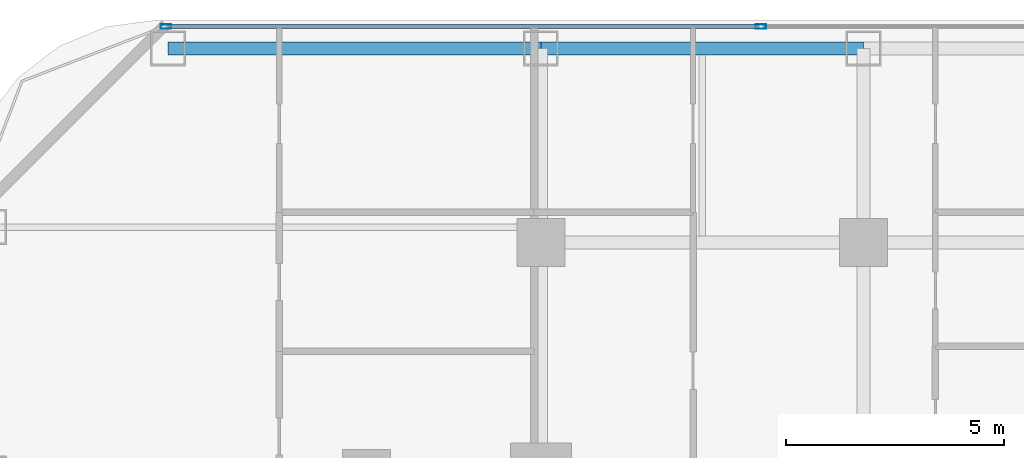
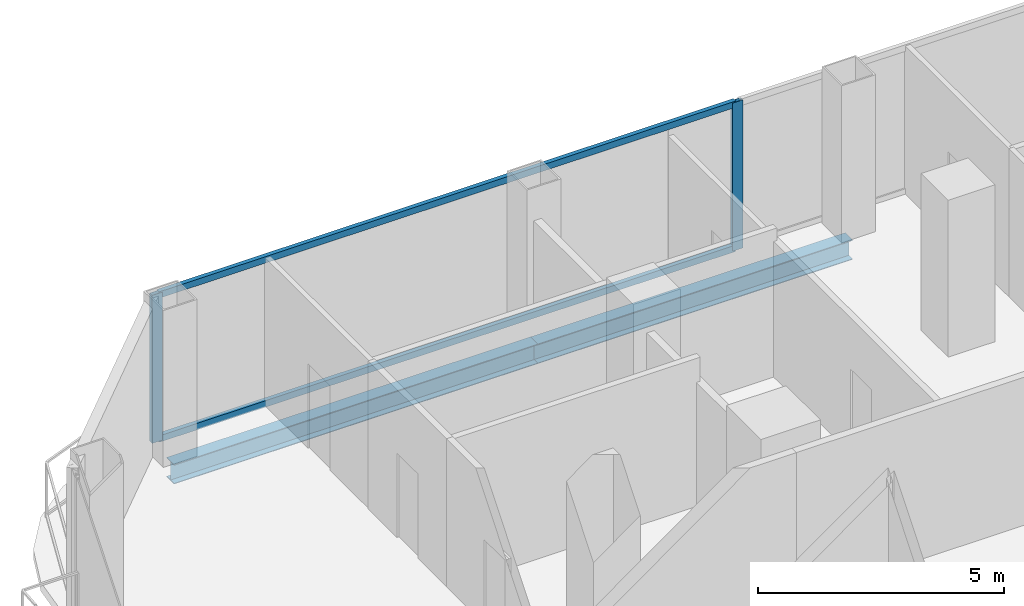
# One storey, part 15 of 29: 4 members, 2 beams, 1 element without a shape of its own.
"""IFC4 building model written with IfcOpenShell, lengths in metres."""

from ifc_helpers import new_model, si_unit, direction, frame, origin, origin_2d, place, context, subcontext, project, spatial, hollow_rectangle, i_section, extrude, material, layer, layer_set, material_profile, profile_set, type_object, element, aggregate, save


model = new_model("IFC4")

# Units and contexts
model_context = context("Model", 3, precision=1e-05, world=origin(), true_north=direction((0.0, 1.0)))
body_context = subcontext(model_context, "Body", "Model", "MODEL_VIEW")
ifc_project = project(units=[si_unit("LENGTHUNIT", "METRE"), si_unit("AREAUNIT", "SQUARE_METRE"), si_unit("VOLUMEUNIT", "CUBIC_METRE"), si_unit("PLANEANGLEUNIT", "RADIAN"), si_unit("MASSUNIT", "GRAM", prefix="KILO")], contexts=[model_context])

# Site, building, storey
site_placement = place(None, origin())
site = spatial("IfcSite", under=ifc_project, at=site_placement, CompositionType="ELEMENT")
building_placement = place(site_placement, origin())
building = spatial("IfcBuilding", under=site, at=building_placement, Name="Khorvyn Point Tower", CompositionType="ELEMENT")
storey_placement = place(building_placement, frame((0.0, 0.0, 69.60009765625)))
storey = spatial("IfcBuildingStorey", under=building, at=storey_placement, Name="L18", CompositionType="ELEMENT", Elevation=69.60009765625)

# Curtain wall, members
ifc_material_1 = material(Name="Anodised aluminium 6063-T6 and laminated Low-E glass", Category="aluminium")
ifc_layer = layer(ifc_material_1, 0.18994140625)
ifc_layer_set = layer_set([ifc_layer], Name="Stick-Built Finned Residential Curtain Wall CW-SYS-02")
curtain_wall_type = type_object("IfcCurtainWallType", Name="Stick-Built Finned Residential Curtain Wall CW-SYS-02", PredefinedType="NOTDEFINED", material=ifc_layer_set)
curtain_wall_placement = place(storey_placement, origin())
curtain_wall = element("IfcCurtainWall", 1, at=curtain_wall_placement, inside=storey, type_object=curtain_wall_type, Name="Curtain Wall", PredefinedType="NOTDEFINED")
ifc_material_2 = material(Name="Anodised aluminium 6063-T6", Category="aluminium")
ifc_material_profile_1 = material_profile(ifc_material_2, hollow_rectangle(XDim=0.10009765625, YDim=0.239990234375, WallThickness=0.0048828125, at=origin_2d()))
ifc_profile_set_1 = profile_set([ifc_material_profile_1], Name="Anodised aluminium 6063-T6 ALU-MUL-100x240")
member_type_1 = type_object("IfcMemberType", Name="Anodised Aluminium 6063-T6 Mullion ALU-MUL-100x240", PredefinedType="MULLION", material=ifc_profile_set_1)
member_1_placement = place(storey_placement, frame((-23.39990234375, 25.050048828125, 0.0), z_axis=(0.0, 0.0, 1.0), x_axis=(0.0, 1.0, 0.0)))
member_1 = element("IfcMember", 2, at=member_1_placement, type_object=member_type_1, Name="Transom", PredefinedType="MULLION", context=body_context, shape_type="SweptSolid", body=[
    extrude(hollow_rectangle(XDim=0.10009765625, YDim=0.239990234375, WallThickness=0.0048828125, at=origin_2d()), origin(), (0.0, 0.0, 1.0), 3.679931640625),
])
member_2_placement = place(storey_placement, frame((-9.75, 25.050048828125, 0.0), z_axis=(0.0, 0.0, 1.0), x_axis=(0.0, 1.0, 0.0)))
member_2 = element("IfcMember", 3, at=member_2_placement, type_object=member_type_1, Name="Transom", PredefinedType="MULLION", context=body_context, shape_type="SweptSolid", body=[
    extrude(hollow_rectangle(XDim=0.10009765625, YDim=0.239990234375, WallThickness=0.0048828125, at=origin_2d()), origin(), (0.0, 0.0, 1.0), 3.679931640625),
])
ifc_material_profile_2 = material_profile(ifc_material_2, hollow_rectangle(XDim=0.10009765625, YDim=0.159912109375, WallThickness=0.00439453125, at=origin_2d()))
ifc_profile_set_2 = profile_set([ifc_material_profile_2], Name="Anodised aluminium 6063-T6 ALU-TRN-100x160")
member_type_2 = type_object("IfcMemberType", Name="Anodised Aluminium 6063-T6 Transom ALU-TRN-100x160", PredefinedType="USERDEFINED", material=ifc_profile_set_2)
member_3_placement = place(storey_placement, frame((-23.35009765625, 25.050048828125, 0.0498046875), z_axis=(1.0, 0.0, 0.0), x_axis=(0.0, 1.0, 0.0)))
member_3 = element("IfcMember", 4, at=member_3_placement, type_object=member_type_2, Name="Transom", ObjectType="TRANSOM", PredefinedType="USERDEFINED", context=body_context, shape_type="SweptSolid", body=[
    extrude(hollow_rectangle(XDim=0.10009765625, YDim=0.159912109375, WallThickness=0.00439453125, at=origin_2d()), origin(), (0.0, 0.0, 1.0), 13.550048828125),
])
member_4_placement = place(storey_placement, frame((-23.35009765625, 25.050048828125, 3.6298828125), z_axis=(1.0, 0.0, 0.0), x_axis=(0.0, 1.0, 0.0)))
member_4 = element("IfcMember", 5, at=member_4_placement, type_object=member_type_2, Name="Transom", ObjectType="TRANSOM", PredefinedType="USERDEFINED", context=body_context, shape_type="SweptSolid", body=[
    extrude(hollow_rectangle(XDim=0.10009765625, YDim=0.159912109375, WallThickness=0.00439453125, at=origin_2d()), origin(), (0.0, 0.0, 1.0), 13.550048828125),
])
aggregate(curtain_wall, [member_1, member_2, member_3, member_4])

# Beams
ifc_material_3 = material(Name="Steel S355", Category="steel")
ifc_material_profile_3 = material_profile(ifc_material_3, i_section(OverallWidth=0.300048828125, OverallDepth=0.488037109375, WebThickness=0.010986328125, FlangeThickness=0.01806640625, at=origin_2d()))
ifc_profile_set_3 = profile_set([ifc_material_profile_3], Name="Steel S355 H488x300x11x18")
beam_type = type_object("IfcBeamType", Name="Steel S355 Spandrel H488x300x11x18", PredefinedType="SPANDREL", material=ifc_profile_set_3)
beam_1_placement = place(storey_placement, frame((-23.35009765625, 24.550048828125, -0.464111328125), z_axis=(1.0, 0.0, 0.0), x_axis=(0.0, 1.0, 0.0)))
element("IfcBeam", 6, at=beam_1_placement, inside=storey, type_object=beam_type, Name="Beam", PredefinedType="SPANDREL", context=body_context, shape_type="SweptSolid", body=[
    extrude(i_section(OverallWidth=0.300048828125, OverallDepth=0.488037109375, WebThickness=0.010986328125, FlangeThickness=0.01806640625, at=origin_2d()), origin(), (0.0, 0.0, 1.0), 8.550048828125),
])
beam_2_placement = place(storey_placement, frame((-14.800048828125, 24.550048828125, -0.464111328125), z_axis=(1.0, 0.0, 0.0), x_axis=(0.0, 1.0, 0.0)))
element("IfcBeam", 7, at=beam_2_placement, inside=storey, type_object=beam_type, Name="Beam", PredefinedType="SPANDREL", context=body_context, shape_type="SweptSolid", body=[
    extrude(i_section(OverallWidth=0.300048828125, OverallDepth=0.488037109375, WebThickness=0.010986328125, FlangeThickness=0.01806640625, at=origin_2d()), origin(), (0.0, 0.0, 1.0), 7.400146484375),
])

save(model, "model.ifc")
